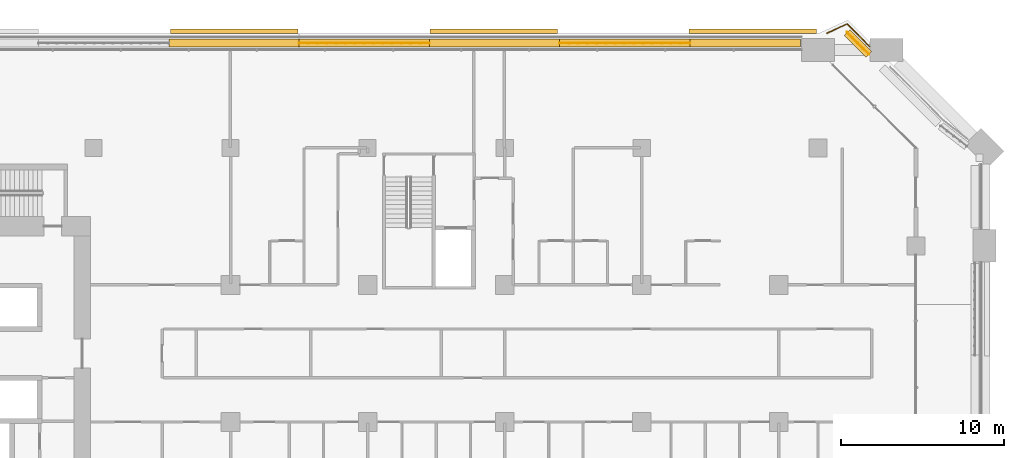
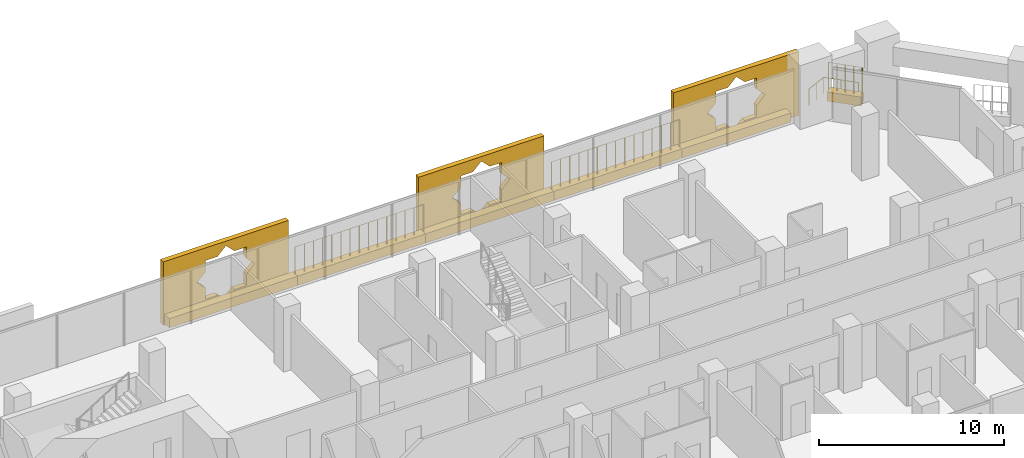
# One storey, part 27 of 27: 9 coverings, 4 railings.
"""IFC4 building model written with IfcOpenShell, lengths in metres."""

from ifc_helpers import new_model, si_unit, direction, frame, origin, origin_2d, place, context, subcontext, project, spatial, polyline, rectangle, circle, outline, extrude, material, material_profile, profile_set, type_object, element, save


model = new_model("IFC4")

# Units and contexts
model_context = context("Model", 3, precision=1e-05, world=origin(), true_north=direction((0.0, 1.0)))
body_context = subcontext(model_context, "Body", "Model", "MODEL_VIEW")
ifc_project = project(units=[si_unit("LENGTHUNIT", "METRE"), si_unit("AREAUNIT", "SQUARE_METRE"), si_unit("VOLUMEUNIT", "CUBIC_METRE"), si_unit("PLANEANGLEUNIT", "RADIAN"), si_unit("MASSUNIT", "GRAM", prefix="KILO")], contexts=[model_context])

# Site, building, storey
site_placement = place(None, origin())
site = spatial("IfcSite", under=ifc_project, at=site_placement, CompositionType="ELEMENT")
building_placement = place(site_placement, origin())
building = spatial("IfcBuilding", under=site, at=building_placement, Name="Kawkab Arch Medical Tower", CompositionType="ELEMENT")
storey_placement = place(building_placement, frame((0.0, 0.0, 115.60009765625)))
storey = spatial("IfcBuildingStorey", under=building, at=storey_placement, Name="L26", CompositionType="ELEMENT", Elevation=115.60009765625)

# Railing
ifc_material_1 = material(Name="Bronze anodised aluminium guard", Category="aluminium")
railing_type_1 = type_object("IfcRailingType", Name="Loggia and terrace guard 1100", PredefinedType="GUARDRAIL", material=ifc_material_1)
railing_1_placement = place(storey_placement, frame((70.14794921875, 7.030029296875, 0.0)))
element("IfcRailing", 1, at=railing_1_placement, inside=storey, type_object=railing_type_1, Name="Guard L26.LOG-01.1.2", PredefinedType="GUARDRAIL", context=body_context, shape_type="SweptSolid", body=[
    extrude(circle(Radius=0.02392578125, at=origin_2d()), frame((0.0, 0.0, 1.076171875), z_axis=(0.910085591366, 0.414420337807, 0.0), x_axis=(-0.414420337807, 0.910085591366, 0.0)), (0.0, 0.0, 1.0), 1.370361328125),
    extrude(circle(Radius=0.02392578125, at=origin_2d()), frame((1.2470703125, 0.56787109375, 1.076171875), z_axis=(0.707106781187, -0.707106781187, 0.0), x_axis=(0.707106781187, 0.707106781187, 0.0)), (0.0, 0.0, 1.0), 1.944580078125),
    extrude(circle(Radius=0.02099609375, at=origin_2d()), origin(), (0.0, 0.0, 1.0), 1.052001953125),
    extrude(circle(Radius=0.02099609375, at=origin_2d()), frame((0.62353515625, 0.283935546875, 0.0)), (0.0, 0.0, 1.0), 1.052001953125),
    extrude(circle(Radius=0.02099609375, at=origin_2d()), frame((1.2470703125, 0.56787109375, 0.0)), (0.0, 0.0, 1.0), 1.052001953125),
    extrude(circle(Radius=0.02099609375, at=origin_2d()), frame((1.9345703125, -0.11962890625, 0.0)), (0.0, 0.0, 1.0), 1.052001953125),
    extrude(circle(Radius=0.02099609375, at=origin_2d()), frame((2.6220703125, -0.80712890625, 0.0)), (0.0, 0.0, 1.0), 1.052001953125),
])

# Coverings
ifc_material_2 = material(Name="Bronze anodised aluminium mashrabiya panel, eight-point star pattern", Category="aluminium")
ifc_material_profile_1 = material_profile(ifc_material_2, outline(polyline([(-3.89990234375, -2.10009765625), (3.89990234375, -2.10009765625), (3.89990234375, 2.10009765625), (-3.89990234375, 2.10009765625), (-3.89990234375, -2.10009765625)]), holes=[polyline([(1.800048828125, 0.0), (1.272705078125, 0.527099609375), (1.272705078125, 1.272705078125), (0.527099609375, 1.272705078125), (0.0, 1.800048828125), (-0.527099609375, 1.272705078125), (-1.272705078125, 1.272705078125), (-1.272705078125, 0.527099609375), (-1.800048828125, 0.0), (-1.272705078125, -0.527099609375), (-1.272705078125, -1.272705078125), (-0.527099609375, -1.272705078125), (0.0, -1.800048828125), (0.527099609375, -1.272705078125), (1.272705078125, -1.272705078125), (1.272705078125, -0.527099609375), (1.800048828125, 0.0)])]), Name="Mashrabiya panel 7800x4200")
ifc_profile_set_1 = profile_set([ifc_material_profile_1], Name="Bronze anodised aluminium mashrabiya panel, eight-point star pattern")
covering_type_1 = type_object("IfcCoveringType", Name="Mashrabiya panel 7800 x 4200", PredefinedType="USERDEFINED", material=ifc_profile_set_1)
for number, where, z_axis, x_axis, name in (
    (2, (33.82470703125, 7.0, 1.699951171875), (0.0, 1.0, 0.0), (-1.0, 0.0, 0.0), "Mashrabiya panel L26.LOG-01-01.7"),
    (3, (49.725830078125, 7.0, 1.699951171875), (0.0, 1.0, 0.0), (-1.0, 0.0, 0.0), "Mashrabiya panel L26.LOG-01-01.8"),
    (4, (65.60693359375, 7.0, 1.699951171875), (0.0, 1.0, 0.0), (-1.0, 0.0, 0.0), "Mashrabiya panel L26.LOG-01-01.9"),
):
    element("IfcCovering", number, at=place(storey_placement, frame(where, z_axis=z_axis, x_axis=x_axis)), inside=storey, type_object=covering_type_1, Name=name, ObjectType="SCREEN", PredefinedType="USERDEFINED", context=body_context, shape_type="SweptSolid", body=[
        extrude(outline(polyline([(-3.89990234375, -2.10009765625), (3.89990234375, -2.10009765625), (3.89990234375, 2.10009765625), (-3.89990234375, 2.10009765625), (-3.89990234375, -2.10009765625)]), holes=[polyline([(1.800048828125, 0.0), (1.272705078125, 0.527099609375), (1.272705078125, 1.272705078125), (0.527099609375, 1.272705078125), (0.0, 1.800048828125), (-0.527099609375, 1.272705078125), (-1.272705078125, 1.272705078125), (-1.272705078125, 0.527099609375), (-1.800048828125, 0.0), (-1.272705078125, -0.527099609375), (-1.272705078125, -1.272705078125), (-0.527099609375, -1.272705078125), (0.0, -1.800048828125), (0.527099609375, -1.272705078125), (1.272705078125, -1.272705078125), (1.272705078125, -0.527099609375), (1.800048828125, 0.0)])]), origin(), (0.0, 0.0, 1.0), 0.300048828125),
    ])
ifc_material_3 = material(Name="Planting soil in a precast trough", Category="concrete")
ifc_material_profile_2 = material_profile(ifc_material_3, rectangle(XDim=0.5, YDim=0.60009765625, at=origin_2d()), Name="Trough 500x600")
ifc_profile_set_2 = profile_set([ifc_material_profile_2], Name="Planting soil in a precast trough")
covering_type_2 = type_object("IfcCoveringType", Name="Planter trough 500 x 600", PredefinedType="USERDEFINED", material=ifc_profile_set_2)
for number, where, z_axis, x_axis, name in (
    (5, (29.819091796875, 6.419921875, 0.2998046875), (1.0, 0.0, 0.0), (0.0, 1.0, 0.0), "Planter L26.LOG-01-01.20"),
    (6, (37.800048828125, 6.419921875, 0.2998046875), (1.0, 0.0, 0.0), (0.0, 1.0, 0.0), "Planter L26.LOG-01-01.21"),
):
    element("IfcCovering", number, at=place(storey_placement, frame(where, z_axis=z_axis, x_axis=x_axis)), inside=storey, type_object=covering_type_2, Name=name, ObjectType="PLANTER", PredefinedType="USERDEFINED", context=body_context, shape_type="SweptSolid", body=[
        extrude(rectangle(XDim=0.5, YDim=0.60009765625, at=origin_2d()), origin(), (0.0, 0.0, 1.0), 7.98095703125),
    ])
covering_1_placement = place(storey_placement, frame((45.781005859375, 6.419921875, 0.2998046875), z_axis=(1.0, 0.0, 0.0), x_axis=(0.0, 1.0, 0.0)))
element("IfcCovering", 7, at=covering_1_placement, inside=storey, type_object=covering_type_2, Name="Planter L26.LOG-01-01.22", ObjectType="PLANTER", PredefinedType="USERDEFINED", context=body_context, shape_type="SweptSolid", body=[
    extrude(rectangle(XDim=0.5, YDim=0.60009765625, at=origin_2d()), origin(), (0.0, 0.0, 1.0), 7.98193359375),
])
covering_2_placement = place(storey_placement, frame((53.762939453125, 6.419921875, 0.2998046875), z_axis=(1.0, 0.0, 0.0), x_axis=(0.0, 1.0, 0.0)))
element("IfcCovering", 8, at=covering_2_placement, inside=storey, type_object=covering_type_2, Name="Planter L26.LOG-01-01.23", ObjectType="PLANTER", PredefinedType="USERDEFINED", context=body_context, shape_type="SweptSolid", body=[
    extrude(rectangle(XDim=0.5, YDim=0.60009765625, at=origin_2d()), origin(), (0.0, 0.0, 1.0), 7.98095703125),
])
covering_3_placement = place(storey_placement, frame((61.743896484375, 6.419921875, 0.2998046875), z_axis=(1.0, 0.0, 0.0), x_axis=(0.0, 1.0, 0.0)))
element("IfcCovering", 9, at=covering_3_placement, inside=storey, type_object=covering_type_2, Name="Planter L26.LOG-01-01.24", ObjectType="PLANTER", PredefinedType="USERDEFINED", context=body_context, shape_type="SweptSolid", body=[
    extrude(rectangle(XDim=0.5, YDim=0.60009765625, at=origin_2d()), origin(), (0.0, 0.0, 1.0), 6.776123046875),
])
covering_4_placement = place(storey_placement, frame((71.383056640625, 7.072998046875, 0.2998046875), z_axis=(0.707106781187, -0.707106781187, 0.0), x_axis=(0.707106781187, 0.707106781187, 0.0)))
element("IfcCovering", 10, at=covering_4_placement, inside=storey, type_object=covering_type_2, Name="Planter L26.LOG-01-01.25", ObjectType="PLANTER", PredefinedType="USERDEFINED", context=body_context, shape_type="SweptSolid", body=[
    extrude(rectangle(XDim=0.5, YDim=0.60009765625, at=origin_2d()), origin(), (0.0, 0.0, 1.0), 1.890625),
])

# Railings
ifc_material_4 = material(Name="Bronze anodised aluminium trellis for climbing plants", Category="aluminium")
railing_type_2 = type_object("IfcRailingType", Name="Planting trellis 2400", PredefinedType="USERDEFINED", material=ifc_material_4)
railing_2_placement = place(storey_placement, frame((37.800048828125, 6.419921875, 0.0)))
element("IfcRailing", 11, at=railing_2_placement, inside=storey, type_object=railing_type_2, Name="Planting trellis L26.LOG-01-01.21", ObjectType="TRELLIS", PredefinedType="USERDEFINED", context=body_context, shape_type="SweptSolid", body=[
    extrude(circle(Radius=0.01513671875, at=origin_2d()), frame((0.0, 0.0, 2.384765625), z_axis=(1.0, 0.0, 0.0), x_axis=(0.0, 1.0, 0.0)), (0.0, 0.0, 1.0), 7.98095703125),
    extrude(circle(Radius=0.030029296875, at=origin_2d()), origin(), (0.0, 0.0, 1.0), 2.369873046875),
    extrude(circle(Radius=0.030029296875, at=origin_2d()), frame((0.570068359375, 0.0, 0.0)), (0.0, 0.0, 1.0), 2.369873046875),
    extrude(circle(Radius=0.030029296875, at=origin_2d()), frame((1.14013671875, 0.0, 0.0)), (0.0, 0.0, 1.0), 2.369873046875),
    extrude(circle(Radius=0.030029296875, at=origin_2d()), frame((1.710205078125, 0.0, 0.0)), (0.0, 0.0, 1.0), 2.369873046875),
    extrude(circle(Radius=0.030029296875, at=origin_2d()), frame((2.2802734375, 0.0, 0.0)), (0.0, 0.0, 1.0), 2.369873046875),
    extrude(circle(Radius=0.030029296875, at=origin_2d()), frame((2.850341796875, 0.0, 0.0)), (0.0, 0.0, 1.0), 2.369873046875),
    extrude(circle(Radius=0.030029296875, at=origin_2d()), frame((3.42041015625, 0.0, 0.0)), (0.0, 0.0, 1.0), 2.369873046875),
    extrude(circle(Radius=0.030029296875, at=origin_2d()), frame((3.990478515625, 0.0, 0.0)), (0.0, 0.0, 1.0), 2.369873046875),
    extrude(circle(Radius=0.030029296875, at=origin_2d()), frame((4.560546875, 0.0, 0.0)), (0.0, 0.0, 1.0), 2.369873046875),
    extrude(circle(Radius=0.030029296875, at=origin_2d()), frame((5.130615234375, 0.0, 0.0)), (0.0, 0.0, 1.0), 2.369873046875),
    extrude(circle(Radius=0.030029296875, at=origin_2d()), frame((5.70068359375, 0.0, 0.0)), (0.0, 0.0, 1.0), 2.369873046875),
    extrude(circle(Radius=0.030029296875, at=origin_2d()), frame((6.270751953125, 0.0, 0.0)), (0.0, 0.0, 1.0), 2.369873046875),
    extrude(circle(Radius=0.030029296875, at=origin_2d()), frame((6.8408203125, 0.0, 0.0)), (0.0, 0.0, 1.0), 2.369873046875),
    extrude(circle(Radius=0.030029296875, at=origin_2d()), frame((7.410888671875, 0.0, 0.0)), (0.0, 0.0, 1.0), 2.369873046875),
    extrude(circle(Radius=0.030029296875, at=origin_2d()), frame((7.98095703125, 0.0, 0.0)), (0.0, 0.0, 1.0), 2.369873046875),
])
railing_3_placement = place(storey_placement, frame((53.762939453125, 6.419921875, 0.0)))
element("IfcRailing", 12, at=railing_3_placement, inside=storey, type_object=railing_type_2, Name="Planting trellis L26.LOG-01-01.23", ObjectType="TRELLIS", PredefinedType="USERDEFINED", context=body_context, shape_type="SweptSolid", body=[
    extrude(circle(Radius=0.01513671875, at=origin_2d()), frame((0.0, 0.0, 2.384765625), z_axis=(1.0, 0.0, 0.0), x_axis=(0.0, 1.0, 0.0)), (0.0, 0.0, 1.0), 7.98095703125),
    extrude(circle(Radius=0.030029296875, at=origin_2d()), origin(), (0.0, 0.0, 1.0), 2.369873046875),
    extrude(circle(Radius=0.030029296875, at=origin_2d()), frame((0.570068359375, 0.0, 0.0)), (0.0, 0.0, 1.0), 2.369873046875),
    extrude(circle(Radius=0.030029296875, at=origin_2d()), frame((1.14013671875, 0.0, 0.0)), (0.0, 0.0, 1.0), 2.369873046875),
    extrude(circle(Radius=0.030029296875, at=origin_2d()), frame((1.710205078125, 0.0, 0.0)), (0.0, 0.0, 1.0), 2.369873046875),
    extrude(circle(Radius=0.030029296875, at=origin_2d()), frame((2.2802734375, 0.0, 0.0)), (0.0, 0.0, 1.0), 2.369873046875),
    extrude(circle(Radius=0.030029296875, at=origin_2d()), frame((2.850341796875, 0.0, 0.0)), (0.0, 0.0, 1.0), 2.369873046875),
    extrude(circle(Radius=0.030029296875, at=origin_2d()), frame((3.42041015625, 0.0, 0.0)), (0.0, 0.0, 1.0), 2.369873046875),
    extrude(circle(Radius=0.030029296875, at=origin_2d()), frame((3.990478515625, 0.0, 0.0)), (0.0, 0.0, 1.0), 2.369873046875),
    extrude(circle(Radius=0.030029296875, at=origin_2d()), frame((4.560546875, 0.0, 0.0)), (0.0, 0.0, 1.0), 2.369873046875),
    extrude(circle(Radius=0.030029296875, at=origin_2d()), frame((5.130615234375, 0.0, 0.0)), (0.0, 0.0, 1.0), 2.369873046875),
    extrude(circle(Radius=0.030029296875, at=origin_2d()), frame((5.70068359375, 0.0, 0.0)), (0.0, 0.0, 1.0), 2.369873046875),
    extrude(circle(Radius=0.030029296875, at=origin_2d()), frame((6.270751953125, 0.0, 0.0)), (0.0, 0.0, 1.0), 2.369873046875),
    extrude(circle(Radius=0.030029296875, at=origin_2d()), frame((6.8408203125, 0.0, 0.0)), (0.0, 0.0, 1.0), 2.369873046875),
    extrude(circle(Radius=0.030029296875, at=origin_2d()), frame((7.410888671875, 0.0, 0.0)), (0.0, 0.0, 1.0), 2.369873046875),
    extrude(circle(Radius=0.030029296875, at=origin_2d()), frame((7.98095703125, 0.0, 0.0)), (0.0, 0.0, 1.0), 2.369873046875),
])
railing_4_placement = place(storey_placement, frame((71.383056640625, 7.072998046875, 0.0)))
element("IfcRailing", 13, at=railing_4_placement, inside=storey, type_object=railing_type_2, Name="Planting trellis L26.LOG-01-01.25", ObjectType="TRELLIS", PredefinedType="USERDEFINED", context=body_context, shape_type="SweptSolid", body=[
    extrude(circle(Radius=0.01513671875, at=origin_2d()), frame((0.0, 0.0, 2.384765625), z_axis=(0.707106781187, -0.707106781187, 0.0), x_axis=(0.707106781187, 0.707106781187, 0.0)), (0.0, 0.0, 1.0), 1.890625),
    extrude(circle(Radius=0.030029296875, at=origin_2d()), origin(), (0.0, 0.0, 1.0), 2.369873046875),
    extrude(circle(Radius=0.030029296875, at=origin_2d()), frame((0.334228515625, -0.334228515625, 0.0)), (0.0, 0.0, 1.0), 2.369873046875),
    extrude(circle(Radius=0.030029296875, at=origin_2d()), frame((0.66845703125, -0.66845703125, 0.0)), (0.0, 0.0, 1.0), 2.369873046875),
    extrude(circle(Radius=0.030029296875, at=origin_2d()), frame((1.002685546875, -1.002685546875, 0.0)), (0.0, 0.0, 1.0), 2.369873046875),
    extrude(circle(Radius=0.030029296875, at=origin_2d()), frame((1.3369140625, -1.3369140625, 0.0)), (0.0, 0.0, 1.0), 2.369873046875),
])

save(model, "model.ifc")
